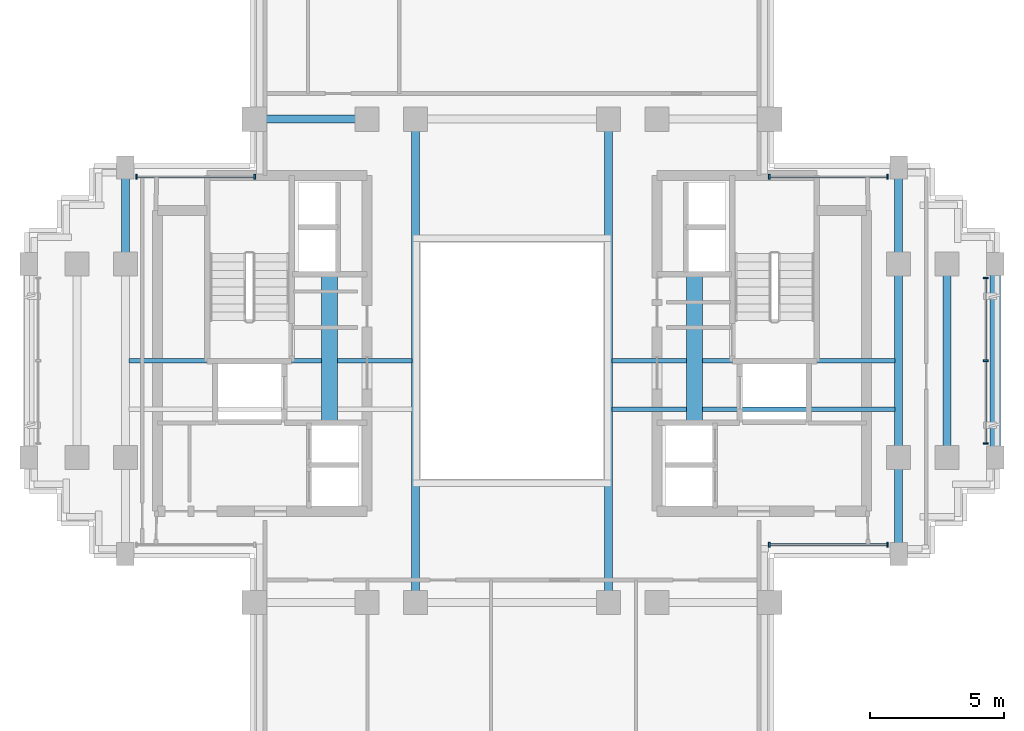
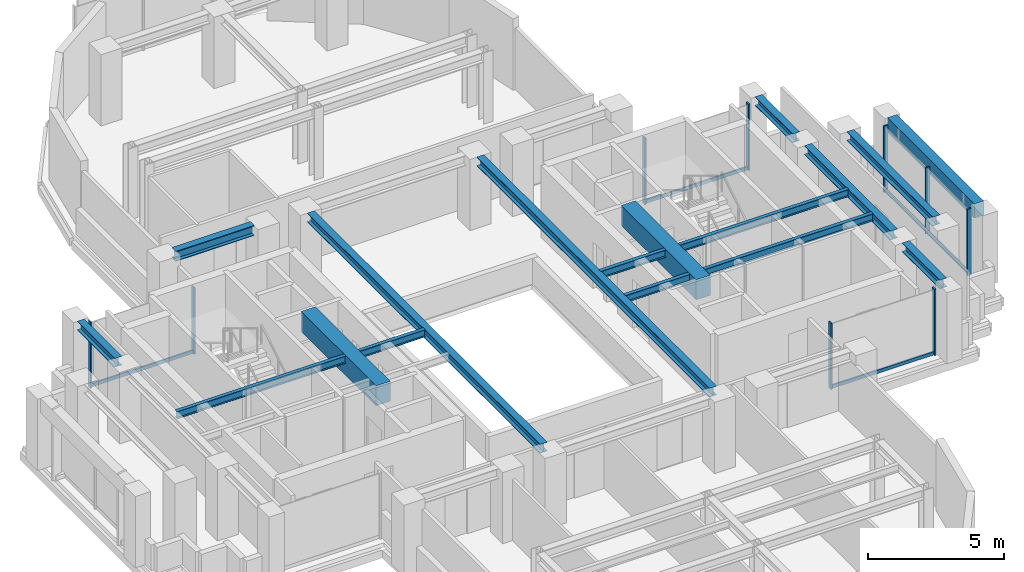
# One storey, part 3 of 11: 14 beams, 14 members, 4 elements without a shape of their own.
"""IFC4 building model written with IfcOpenShell, lengths in metres."""

from ifc_helpers import new_model, si_unit, direction, frame, origin, origin_2d, place, context, subcontext, project, spatial, rectangle, i_section, extrude, source, transform, mapped, material, material_profile, profile_set, type_object, element, aggregate, save


model = new_model("IFC4")

# Units and contexts
model_context = context("Model", 3, precision=1e-05, world=origin(), true_north=direction((0.0, 1.0)))
body_context = subcontext(model_context, "Body", "Model", "MODEL_VIEW")
ifc_project = project(units=[si_unit("LENGTHUNIT", "METRE"), si_unit("AREAUNIT", "SQUARE_METRE"), si_unit("VOLUMEUNIT", "CUBIC_METRE"), si_unit("PLANEANGLEUNIT", "RADIAN"), si_unit("MASSUNIT", "GRAM", prefix="KILO")], contexts=[model_context])

# Site, building, storey
site_placement = place(None, origin())
site = spatial("IfcSite", under=ifc_project, at=site_placement, CompositionType="ELEMENT")
building_placement = place(site_placement, origin())
building = spatial("IfcBuilding", under=site, at=building_placement, Name="Keilestroom Media Tower", CompositionType="ELEMENT")
storey_placement = place(building_placement, frame((0.0, 0.0, 163.800048828125)))
storey = spatial("IfcBuildingStorey", under=building, at=storey_placement, Name="L44", CompositionType="ELEMENT", Elevation=163.800048828125)

# Beams
ifc_material_1 = material(Name="Concrete C70/85", Category="concrete")
ifc_material_profile_1 = material_profile(ifc_material_1, rectangle(XDim=0.60009765625, YDim=0.89990234375, at=origin_2d()), Name="RC 600x900")
ifc_profile_set_1 = profile_set([ifc_material_profile_1], Name="Concrete C70/85")
beam_type_1 = type_object("IfcBeamType", Name="Core-Coupling-Lintel-Beam-RC-600x900", PredefinedType="LINTEL", material=ifc_profile_set_1)
shared_shape_1 = source(origin(), body_context, "Body", "SweptSolid", [
    extrude(rectangle(XDim=0.60009765625, YDim=0.89990234375, at=origin_2d()), origin(), (0.0, 0.0, 1.0), 5.52001953125),
])
for number, where, z_axis, x_axis, name in (
    (1, (-6.800048828125, -2.300048828125, 2.75), (0.0, 1.0, 0.0), (-1.0, 0.0, 0.0), "L44 Beam CLB-1 CLB-L44-W"),
    (2, (6.800048828125, -2.300048828125, 2.75), (0.0, 1.0, 0.0), (-1.0, 0.0, 0.0), "L44 Beam CLB-1 CLB-L44-E"),
):
    element("IfcBeam", number, at=place(storey_placement, frame(where, z_axis=z_axis, x_axis=x_axis)), inside=storey, type_object=beam_type_1, Name=name, PredefinedType="LINTEL", context=body_context, shape_type="MappedRepresentation", body=[
        mapped(shared_shape_1, transform((0.0, 0.0, 0.0), x_axis=(1.0, 0.0, 0.0), y_axis=(0.0, 1.0, 0.0), z_axis=(0.0, 0.0, 1.0), scale=1.0)),
    ])
ifc_material_2 = material(Name="Steel S355", Category="steel")
ifc_material_profile_2 = material_profile(ifc_material_2, i_section(OverallWidth=0.300048828125, OverallDepth=0.449951171875, WebThickness=0.011962890625, FlangeThickness=0.02587890625, at=origin_2d()), Name="HEB 450")
ifc_profile_set_2 = profile_set([ifc_material_profile_2], Name="Steel S355")
beam_type_2 = type_object("IfcBeamType", Name="Primary-Structural-Girder-HEB-450", PredefinedType="BEAM", material=ifc_profile_set_2)
shared_shape_2 = source(origin(), body_context, "Body", "SweptSolid", [
    extrude(i_section(OverallWidth=0.300048828125, OverallDepth=0.449951171875, WebThickness=0.011962890625, FlangeThickness=0.02587890625, at=origin_2d()), origin(), (0.0, 0.0, 1.0), 3.33984375),
])
beam_1_placement = place(storey_placement, frame((-9.169921875, 9.0, 2.974853515625), z_axis=(1.0, 0.0, 0.0), x_axis=(0.0, 1.0, 0.0)))
element("IfcBeam", 3, at=beam_1_placement, inside=storey, type_object=beam_type_2, Name="L44 Beam BG-7 BM-L44-EW-020", PredefinedType="BEAM", context=body_context, shape_type="MappedRepresentation", body=[
    mapped(shared_shape_2, transform((0.0, 0.0, 0.0), x_axis=(1.0, 0.0, 0.0), y_axis=(0.0, 1.0, 0.0), z_axis=(0.0, 0.0, 1.0), scale=1.0)),
])
ifc_material_3 = material(Name="Precast concrete C40/50", Category="concrete")
ifc_material_profile_3 = material_profile(ifc_material_3, rectangle(XDim=0.39990234375, YDim=0.64990234375, at=origin_2d()), Name="PC 400x650")
ifc_profile_set_3 = profile_set([ifc_material_profile_3], Name="Precast concrete C40/50")
beam_type_3 = type_object("IfcBeamType", Name="Perimeter-Spandrel-Beam-PC-400x650", PredefinedType="SPANDREL", material=ifc_profile_set_3)
shared_shape_3 = source(origin(), body_context, "Body", "SweptSolid", [
    extrude(rectangle(XDim=0.39990234375, YDim=0.64990234375, at=origin_2d()), origin(), (0.0, 0.0, 1.0), 6.39013671875),
])
beam_2_placement = place(storey_placement, frame((18.0, -3.195068359375, 2.875), z_axis=(0.0, 1.0, 0.0), x_axis=(-1.0, 0.0, 0.0)))
element("IfcBeam", 4, at=beam_2_placement, inside=storey, type_object=beam_type_3, Name="L44 Beam SPB-2 BM-L44-NS-054", PredefinedType="SPANDREL", context=body_context, shape_type="MappedRepresentation", body=[
    mapped(shared_shape_3, transform((0.0, 0.0, 0.0), x_axis=(1.0, 0.0, 0.0), y_axis=(0.0, 1.0, 0.0), z_axis=(0.0, 0.0, 1.0), scale=1.0)),
])
ifc_material_profile_4 = material_profile(ifc_material_2, i_section(OverallWidth=0.300048828125, OverallDepth=0.39990234375, WebThickness=0.011474609375, FlangeThickness=0.02392578125, at=origin_2d()), Name="HEB 400")
ifc_profile_set_4 = profile_set([ifc_material_profile_4], Name="Steel S355")
beam_type_4 = type_object("IfcBeamType", Name="Primary-Structural-Girder-HEB-400", PredefinedType="BEAM", material=ifc_profile_set_4)
shared_shape_4 = source(origin(), body_context, "Body", "SweptSolid", [
    extrude(i_section(OverallWidth=0.300048828125, OverallDepth=0.39990234375, WebThickness=0.011474609375, FlangeThickness=0.02392578125, at=origin_2d()), origin(), (0.0, 0.0, 1.0), 6.33984375),
])
for number, where, z_axis, x_axis, name in (
    (5, (14.39990234375, -3.169921875, 3.0), (0.0, 1.0, 0.0), (-1.0, 0.0, 0.0), "L44 Beam BG-8 BM-L44-NS-051"),
    (6, (16.199951171875, -3.169921875, 3.0), (0.0, 1.0, 0.0), (-1.0, 0.0, 0.0), "L44 Beam BG-8 BM-L44-NS-053"),
):
    element("IfcBeam", number, at=place(storey_placement, frame(where, z_axis=z_axis, x_axis=x_axis)), inside=storey, type_object=beam_type_4, Name=name, PredefinedType="BEAM", context=body_context, shape_type="MappedRepresentation", body=[
        mapped(shared_shape_4, transform((0.0, 0.0, 0.0), x_axis=(1.0, 0.0, 0.0), y_axis=(0.0, 1.0, 0.0), z_axis=(0.0, 0.0, 1.0), scale=1.0)),
    ])
shared_shape_5 = source(origin(), body_context, "Body", "SweptSolid", [
    extrude(i_section(OverallWidth=0.300048828125, OverallDepth=0.39990234375, WebThickness=0.011474609375, FlangeThickness=0.02392578125, at=origin_2d()), origin(), (0.0, 0.0, 1.0), 2.764892578125),
])
for number, where, z_axis, x_axis, name in (
    (7, (-14.39990234375, 4.030029296875, 3.0), (0.0, 1.0, 0.0), (-1.0, 0.0, 0.0), "L44 Beam BG-8 BM-L44-NS-035"),
    (8, (14.39990234375, -6.794921875, 3.0), (0.0, 1.0, 0.0), (-1.0, 0.0, 0.0), "L44 Beam BG-8 BM-L44-NS-050"),
    (9, (14.39990234375, 4.030029296875, 3.0), (0.0, 1.0, 0.0), (-1.0, 0.0, 0.0), "L44 Beam BG-8 BM-L44-NS-052"),
):
    element("IfcBeam", number, at=place(storey_placement, frame(where, z_axis=z_axis, x_axis=x_axis)), inside=storey, type_object=beam_type_4, Name=name, PredefinedType="BEAM", context=body_context, shape_type="MappedRepresentation", body=[
        mapped(shared_shape_5, transform((0.0, 0.0, 0.0), x_axis=(1.0, 0.0, 0.0), y_axis=(0.0, 1.0, 0.0), z_axis=(0.0, 0.0, 1.0), scale=1.0)),
    ])
shared_shape_6 = source(origin(), body_context, "Body", "SweptSolid", [
    extrude(i_section(OverallWidth=0.300048828125, OverallDepth=0.39990234375, WebThickness=0.011474609375, FlangeThickness=0.02392578125, at=origin_2d()), origin(), (0.0, 0.0, 1.0), 17.14013671875),
])
for number, where, z_axis, x_axis, name in (
    (10, (-3.60009765625, -8.570068359375, 3.0), (0.0, 1.0, 0.0), (-1.0, 0.0, 0.0), "L44 Beam BG-8 BM-L44-NS-040"),
    (11, (3.60009765625, -8.570068359375, 3.0), (0.0, 1.0, 0.0), (-1.0, 0.0, 0.0), "L44 Beam BG-8 BM-L44-NS-045"),
):
    element("IfcBeam", number, at=place(storey_placement, frame(where, z_axis=z_axis, x_axis=x_axis)), inside=storey, type_object=beam_type_4, Name=name, PredefinedType="BEAM", context=body_context, shape_type="MappedRepresentation", body=[
        mapped(shared_shape_6, transform((0.0, 0.0, 0.0), x_axis=(1.0, 0.0, 0.0), y_axis=(0.0, 1.0, 0.0), z_axis=(0.0, 0.0, 1.0), scale=1.0)),
    ])
ifc_material_profile_5 = material_profile(ifc_material_2, i_section(OverallWidth=0.159912109375, OverallDepth=0.330078125, WebThickness=0.007568359375, FlangeThickness=0.011474609375, at=origin_2d()), Name="IPE 330")
ifc_profile_set_5 = profile_set([ifc_material_profile_5], Name="Steel S355")
beam_type_5 = type_object("IfcBeamType", Name="Secondary-Floor-Joist-IPE-330", PredefinedType="JOIST", material=ifc_profile_set_5)
shared_shape_7 = source(origin(), body_context, "Body", "SweptSolid", [
    extrude(i_section(OverallWidth=0.159912109375, OverallDepth=0.330078125, WebThickness=0.007568359375, FlangeThickness=0.011474609375, at=origin_2d()), origin(), (0.0, 0.0, 1.0), 10.5400390625),
])
for number, where, z_axis, x_axis, name in (
    (12, (3.72998046875, -1.800048828125, 3.034912109375), (1.0, 0.0, 0.0), (0.0, 1.0, 0.0), "L44 Beam BJ-6 JST-L44-059"),
    (13, (-14.27001953125, 0.0, 3.034912109375), (1.0, 0.0, 0.0), (0.0, 1.0, 0.0), "L44 Beam BJ-6 JST-L44-060"),
    (14, (3.72998046875, 0.0, 3.034912109375), (1.0, 0.0, 0.0), (0.0, 1.0, 0.0), "L44 Beam BJ-6 JST-L44-062"),
):
    element("IfcBeam", number, at=place(storey_placement, frame(where, z_axis=z_axis, x_axis=x_axis)), inside=storey, type_object=beam_type_5, Name=name, PredefinedType="JOIST", context=body_context, shape_type="MappedRepresentation", body=[
        mapped(shared_shape_7, transform((0.0, 0.0, 0.0), x_axis=(1.0, 0.0, 0.0), y_axis=(0.0, 1.0, 0.0), z_axis=(0.0, 0.0, 1.0), scale=1.0)),
    ])

# Curtain wall, members
ifc_material_4 = material(Name="Anodised Aluminium Alloy", Category="aluminium")
curtain_wall_type = type_object("IfcCurtainWallType", Name="Unitised-Curtain-Wall-CW-3", PredefinedType="NOTDEFINED", material=ifc_material_4)
curtain_wall_1_placement = place(storey_placement, origin())
curtain_wall_1 = element("IfcCurtainWall", 15, at=curtain_wall_1_placement, inside=storey, type_object=curtain_wall_type, Name="L44 Curtain Wall CW-3 CW-L44-E-1", PredefinedType="NOTDEFINED")
ifc_material_profile_6 = material_profile(ifc_material_4, rectangle(XDim=0.06494140625, YDim=0.179931640625, at=origin_2d()), Name="ALU MULLION 65x180")
ifc_profile_set_6 = profile_set([ifc_material_profile_6], Name="Anodised Aluminium Alloy")
member_type_1 = type_object("IfcMemberType", Name="Curtain-Wall-Mullion-CW-3", PredefinedType="MULLION", material=ifc_profile_set_6)
shared_shape_8 = source(origin(), body_context, "Body", "SweptSolid", [
    extrude(rectangle(XDim=0.06494140625, YDim=0.179931640625, at=origin_2d()), origin(), (0.0, 0.0, 1.0), 2.97998046875),
])
member_1_placement = place(storey_placement, frame((17.64990234375, -3.08251953125, 0.0), z_axis=(0.0, 0.0, 1.0), x_axis=(0.0, 1.0, 0.0)))
member_1 = element("IfcMember", 16, at=member_1_placement, type_object=member_type_1, Name="CW-3 Mullion 00", PredefinedType="MULLION", context=body_context, shape_type="MappedRepresentation", body=[
    mapped(shared_shape_8, transform((0.0, 0.0, 0.0), x_axis=(1.0, 0.0, 0.0), y_axis=(0.0, 1.0, 0.0), z_axis=(0.0, 0.0, 1.0), scale=1.0)),
])
member_2_placement = place(storey_placement, frame((17.64990234375, 0.0, 0.0), z_axis=(0.0, 0.0, 1.0), x_axis=(0.0, 1.0, 0.0)))
member_2 = element("IfcMember", 17, at=member_2_placement, type_object=member_type_1, Name="CW-3 Mullion 01", PredefinedType="MULLION", context=body_context, shape_type="MappedRepresentation", body=[
    mapped(shared_shape_8, transform((0.0, 0.0, 0.0), x_axis=(1.0, 0.0, 0.0), y_axis=(0.0, 1.0, 0.0), z_axis=(0.0, 0.0, 1.0), scale=1.0)),
])
member_3_placement = place(storey_placement, frame((17.64990234375, 3.08251953125, 0.0), z_axis=(0.0, 0.0, 1.0), x_axis=(0.0, 1.0, 0.0)))
member_3 = element("IfcMember", 18, at=member_3_placement, type_object=member_type_1, Name="CW-3 Mullion 02", PredefinedType="MULLION", context=body_context, shape_type="MappedRepresentation", body=[
    mapped(shared_shape_8, transform((0.0, 0.0, 0.0), x_axis=(1.0, 0.0, 0.0), y_axis=(0.0, 1.0, 0.0), z_axis=(0.0, 0.0, 1.0), scale=1.0)),
])

curtain_wall_2_placement = place(storey_placement, origin())
curtain_wall_2 = element("IfcCurtainWall", 19, at=curtain_wall_2_placement, inside=storey, type_object=curtain_wall_type, Name="L44 Curtain Wall CW-3 CW-L44-NW-1", PredefinedType="NOTDEFINED")
member_4_placement = place(storey_placement, frame((-13.982421875, 6.85009765625, 0.0), z_axis=(0.0, 0.0, 1.0), x_axis=(1.0, 0.0, 0.0)))
member_4 = element("IfcMember", 20, at=member_4_placement, type_object=member_type_1, Name="CW-3 Mullion 00", PredefinedType="MULLION", context=body_context, shape_type="MappedRepresentation", body=[
    mapped(shared_shape_8, transform((0.0, 0.0, 0.0), x_axis=(1.0, 0.0, 0.0), y_axis=(0.0, 1.0, 0.0), z_axis=(0.0, 0.0, 1.0), scale=1.0)),
])
member_5_placement = place(storey_placement, frame((-9.58251953125, 6.85009765625, 0.0), z_axis=(0.0, 0.0, 1.0), x_axis=(1.0, 0.0, 0.0)))
member_5 = element("IfcMember", 21, at=member_5_placement, type_object=member_type_1, Name="CW-3 Mullion 01", PredefinedType="MULLION", context=body_context, shape_type="MappedRepresentation", body=[
    mapped(shared_shape_8, transform((0.0, 0.0, 0.0), x_axis=(1.0, 0.0, 0.0), y_axis=(0.0, 1.0, 0.0), z_axis=(0.0, 0.0, 1.0), scale=1.0)),
])

curtain_wall_3_placement = place(storey_placement, origin())
curtain_wall_3 = element("IfcCurtainWall", 22, at=curtain_wall_3_placement, inside=storey, type_object=curtain_wall_type, Name="L44 Curtain Wall CW-3 CW-L44-NE-1", PredefinedType="NOTDEFINED")
member_6_placement = place(storey_placement, frame((9.58251953125, 6.85009765625, 0.0), z_axis=(0.0, 0.0, 1.0), x_axis=(1.0, 0.0, 0.0)))
member_6 = element("IfcMember", 23, at=member_6_placement, type_object=member_type_1, Name="CW-3 Mullion 00", PredefinedType="MULLION", context=body_context, shape_type="MappedRepresentation", body=[
    mapped(shared_shape_8, transform((0.0, 0.0, 0.0), x_axis=(1.0, 0.0, 0.0), y_axis=(0.0, 1.0, 0.0), z_axis=(0.0, 0.0, 1.0), scale=1.0)),
])
member_7_placement = place(storey_placement, frame((13.982421875, 6.85009765625, 0.0), z_axis=(0.0, 0.0, 1.0), x_axis=(1.0, 0.0, 0.0)))
member_7 = element("IfcMember", 24, at=member_7_placement, type_object=member_type_1, Name="CW-3 Mullion 01", PredefinedType="MULLION", context=body_context, shape_type="MappedRepresentation", body=[
    mapped(shared_shape_8, transform((0.0, 0.0, 0.0), x_axis=(1.0, 0.0, 0.0), y_axis=(0.0, 1.0, 0.0), z_axis=(0.0, 0.0, 1.0), scale=1.0)),
])

curtain_wall_4_placement = place(storey_placement, origin())
curtain_wall_4 = element("IfcCurtainWall", 25, at=curtain_wall_4_placement, inside=storey, type_object=curtain_wall_type, Name="L44 Curtain Wall CW-3 CW-L44-SE-1", PredefinedType="NOTDEFINED")
member_8_placement = place(storey_placement, frame((9.58251953125, -6.85009765625, 0.0), z_axis=(0.0, 0.0, 1.0), x_axis=(1.0, 0.0, 0.0)))
member_8 = element("IfcMember", 26, at=member_8_placement, type_object=member_type_1, Name="CW-3 Mullion 00", PredefinedType="MULLION", context=body_context, shape_type="MappedRepresentation", body=[
    mapped(shared_shape_8, transform((0.0, 0.0, 0.0), x_axis=(1.0, 0.0, 0.0), y_axis=(0.0, 1.0, 0.0), z_axis=(0.0, 0.0, 1.0), scale=1.0)),
])
member_9_placement = place(storey_placement, frame((13.982421875, -6.85009765625, 0.0), z_axis=(0.0, 0.0, 1.0), x_axis=(1.0, 0.0, 0.0)))
member_9 = element("IfcMember", 27, at=member_9_placement, type_object=member_type_1, Name="CW-3 Mullion 01", PredefinedType="MULLION", context=body_context, shape_type="MappedRepresentation", body=[
    mapped(shared_shape_8, transform((0.0, 0.0, 0.0), x_axis=(1.0, 0.0, 0.0), y_axis=(0.0, 1.0, 0.0), z_axis=(0.0, 0.0, 1.0), scale=1.0)),
])

# Member
ifc_material_profile_7 = material_profile(ifc_material_4, rectangle(XDim=0.06494140625, YDim=0.14990234375, at=origin_2d()), Name="ALU TRANSOM 65x150")
ifc_profile_set_7 = profile_set([ifc_material_profile_7], Name="Anodised Aluminium Alloy")
member_type_2 = type_object("IfcMemberType", Name="Curtain-Wall-Transom-CW-3", PredefinedType="USERDEFINED", material=ifc_profile_set_7)
shared_shape_9 = source(origin(), body_context, "Body", "SweptSolid", [
    extrude(rectangle(XDim=0.06494140625, YDim=0.14990234375, at=origin_2d()), origin(), (0.0, 0.0, 1.0), 4.3388671875),
])
member_10_placement = place(storey_placement, frame((-13.951904296875, 6.85009765625, 0.074951171875), z_axis=(1.0, 0.0, 0.0), x_axis=(0.0, 1.0, 0.0)))
member_10 = element("IfcMember", 28, at=member_10_placement, type_object=member_type_2, Name="CW-3 Transom 00.1", ObjectType="TRANSOM", PredefinedType="USERDEFINED", context=body_context, shape_type="MappedRepresentation", body=[
    mapped(shared_shape_9, transform((0.0, 0.0, 0.0), x_axis=(1.0, 0.0, 0.0), y_axis=(0.0, 1.0, 0.0), z_axis=(0.0, 0.0, 1.0), scale=1.0)),
])

aggregate(curtain_wall_2, [member_4, member_5, member_10])

member_11_placement = place(storey_placement, frame((9.613037109375, 6.85009765625, 0.074951171875), z_axis=(1.0, 0.0, 0.0), x_axis=(0.0, 1.0, 0.0)))
member_11 = element("IfcMember", 29, at=member_11_placement, type_object=member_type_2, Name="CW-3 Transom 00.1", ObjectType="TRANSOM", PredefinedType="USERDEFINED", context=body_context, shape_type="MappedRepresentation", body=[
    mapped(shared_shape_9, transform((0.0, 0.0, 0.0), x_axis=(1.0, 0.0, 0.0), y_axis=(0.0, 1.0, 0.0), z_axis=(0.0, 0.0, 1.0), scale=1.0)),
])

aggregate(curtain_wall_3, [member_6, member_7, member_11])

member_12_placement = place(storey_placement, frame((9.613037109375, -6.85009765625, 0.074951171875), z_axis=(1.0, 0.0, 0.0), x_axis=(0.0, 1.0, 0.0)))
member_12 = element("IfcMember", 30, at=member_12_placement, type_object=member_type_2, Name="CW-3 Transom 00.1", ObjectType="TRANSOM", PredefinedType="USERDEFINED", context=body_context, shape_type="MappedRepresentation", body=[
    mapped(shared_shape_9, transform((0.0, 0.0, 0.0), x_axis=(1.0, 0.0, 0.0), y_axis=(0.0, 1.0, 0.0), z_axis=(0.0, 0.0, 1.0), scale=1.0)),
])

aggregate(curtain_wall_4, [member_8, member_9, member_12])

shared_shape_10 = source(origin(), body_context, "Body", "SweptSolid", [
    extrude(rectangle(XDim=0.06494140625, YDim=0.14990234375, at=origin_2d()), origin(), (0.0, 0.0, 1.0), 3.021484375),
])
member_13_placement = place(storey_placement, frame((17.64990234375, -3.052001953125, 0.074951171875), z_axis=(0.0, 1.0, 0.0), x_axis=(-1.0, 0.0, 0.0)))
member_13 = element("IfcMember", 31, at=member_13_placement, type_object=member_type_2, Name="CW-3 Transom 00.1", ObjectType="TRANSOM", PredefinedType="USERDEFINED", context=body_context, shape_type="MappedRepresentation", body=[
    mapped(shared_shape_10, transform((0.0, 0.0, 0.0), x_axis=(1.0, 0.0, 0.0), y_axis=(0.0, 1.0, 0.0), z_axis=(0.0, 0.0, 1.0), scale=1.0)),
])

member_14_placement = place(storey_placement, frame((17.64990234375, 0.030517578125, 0.074951171875), z_axis=(0.0, 1.0, 0.0), x_axis=(-1.0, 0.0, 0.0)))
member_14 = element("IfcMember", 32, at=member_14_placement, type_object=member_type_2, Name="CW-3 Transom 01.1", ObjectType="TRANSOM", PredefinedType="USERDEFINED", context=body_context, shape_type="MappedRepresentation", body=[
    mapped(shared_shape_10, transform((0.0, 0.0, 0.0), x_axis=(1.0, 0.0, 0.0), y_axis=(0.0, 1.0, 0.0), z_axis=(0.0, 0.0, 1.0), scale=1.0)),
])

aggregate(curtain_wall_1, [member_1, member_2, member_3, member_13, member_14])

save(model, "model.ifc")
